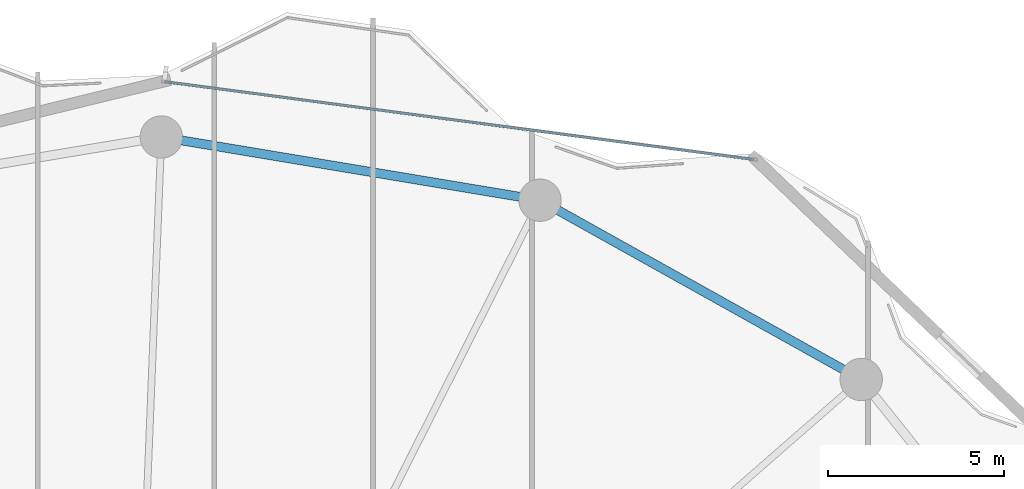
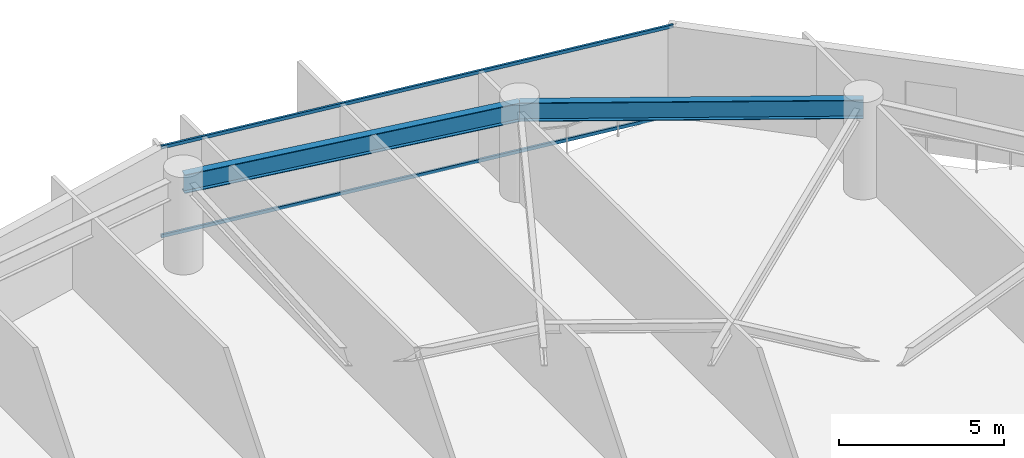
# One storey, part 21 of 30: 2 beams, 2 members, 1 element without a shape of its own.
"""IFC4 building model written with IfcOpenShell, lengths in metres."""

from ifc_helpers import new_model, si_unit, direction, frame, origin, origin_2d, place, context, subcontext, project, spatial, hollow_rectangle, i_section, extrude, material, layer, layer_set, material_profile, profile_set, type_object, element, aggregate, save


model = new_model("IFC4")

# Units and contexts
model_context = context("Model", 3, precision=1e-05, world=origin(), true_north=direction((0.0, 1.0)))
body_context = subcontext(model_context, "Body", "Model", "MODEL_VIEW")
ifc_project = project(units=[si_unit("LENGTHUNIT", "METRE"), si_unit("AREAUNIT", "SQUARE_METRE"), si_unit("VOLUMEUNIT", "CUBIC_METRE"), si_unit("PLANEANGLEUNIT", "RADIAN"), si_unit("MASSUNIT", "GRAM", prefix="KILO")], contexts=[model_context])

# Site, building, storey
site_placement = place(None, origin())
site = spatial("IfcSite", under=ifc_project, at=site_placement, CompositionType="ELEMENT")
building_placement = place(site_placement, origin())
building = spatial("IfcBuilding", under=site, at=building_placement, Name="Kazevale Care Tower and Concert Hall", CompositionType="ELEMENT")
storey_placement = place(building_placement, frame((0.0, 0.0, 113.39990234375)))
storey = spatial("IfcBuildingStorey", under=building, at=storey_placement, Name="L29", CompositionType="ELEMENT", Elevation=113.39990234375)

# Curtain wall, members
ifc_material_1 = material(Name="Aluminium 6063-T6 and Low-E Glass", Category="aluminium")
ifc_layer = layer(ifc_material_1, 0.179931640625)
ifc_layer_set = layer_set([ifc_layer], Name="Aluminium 6063-T6 and Low-E Glass")
curtain_wall_type = type_object("IfcCurtainWallType", Name="Convex Recessed Sunroom Curtain Wall CW-3", PredefinedType="NOTDEFINED", material=ifc_layer_set)
curtain_wall_placement = place(storey_placement, origin())
curtain_wall = element("IfcCurtainWall", 1, at=curtain_wall_placement, inside=storey, type_object=curtain_wall_type, Name="cw:L29:f16", PredefinedType="NOTDEFINED")
ifc_material_2 = material(Name="Aluminium 6063-T6", Category="aluminium")
ifc_material_profile_1 = material_profile(ifc_material_2, hollow_rectangle(XDim=0.074951171875, YDim=0.1201171875, WallThickness=0.00390625, at=origin_2d()), Name="ALU75x120x4")
ifc_profile_set_1 = profile_set([ifc_material_profile_1], Name="Aluminium 6063-T6")
member_type = type_object("IfcMemberType", Name="CW-3 Transom ALU75x120x4", PredefinedType="USERDEFINED", material=ifc_profile_set_1)
member_1_placement = place(storey_placement, frame((45.121337890625, 63.01220703125, 0.03759765625), z_axis=(0.99140485097, -0.130829742311, 0.0), x_axis=(0.130829742311, 0.99140485097, 0.0)))
member_1 = element("IfcMember", 2, at=member_1_placement, type_object=member_type, Name="CW-3 transom 1.1", ObjectType="TRANSOM", PredefinedType="USERDEFINED", context=body_context, shape_type="SweptSolid", body=[
    extrude(hollow_rectangle(XDim=0.074951171875, YDim=0.1201171875, WallThickness=0.00390625, at=origin_2d()), origin(), (0.0, 0.0, 1.0), 16.796630859375),
])
member_2_placement = place(storey_placement, frame((45.121337890625, 63.01220703125, 3.322509765625), z_axis=(0.99140485097, -0.130829742311, 0.0), x_axis=(0.130829742311, 0.99140485097, 0.0)))
member_2 = element("IfcMember", 3, at=member_2_placement, type_object=member_type, Name="CW-3 transom 1.2", ObjectType="TRANSOM", PredefinedType="USERDEFINED", context=body_context, shape_type="SweptSolid", body=[
    extrude(hollow_rectangle(XDim=0.074951171875, YDim=0.1201171875, WallThickness=0.00390625, at=origin_2d()), origin(), (0.0, 0.0, 1.0), 16.796630859375),
])
aggregate(curtain_wall, [member_1, member_2])

# Beams
ifc_material_3 = material(Name="Steel ASTM A572 Gr 50", Category="steel")
ifc_material_profile_2 = material_profile(ifc_material_3, i_section(OverallWidth=0.256103515625, OverallDepth=0.693115234375, WebThickness=0.014404296875, FlangeThickness=0.023681640625, at=origin_2d()), Name="W690x170")
ifc_profile_set_2 = profile_set([ifc_material_profile_2], Name="Steel ASTM A572 Gr 50")
beam_type = type_object("IfcBeamType", Name="Waist Ring Beam W690x170", PredefinedType="BEAM", material=ifc_profile_set_2)
beam_1_placement = place(storey_placement, frame((64.830078125, 54.580078125, 3.013671875), z_axis=(-0.873168720251, 0.487418081297, 0.0), x_axis=(-0.487418081297, -0.873168720251, 0.0)))
element("IfcBeam", 4, at=beam_1_placement, inside=storey, type_object=beam_type, Name="beam:L29:ring:03", PredefinedType="BEAM", context=body_context, shape_type="SweptSolid", body=[
    extrude(i_section(OverallWidth=0.256103515625, OverallDepth=0.693115234375, WebThickness=0.014404296875, FlangeThickness=0.023681640625, at=origin_2d()), origin(), (0.0, 0.0, 1.0), 10.421875),
])
beam_2_placement = place(storey_placement, frame((55.72998046875, 59.659912109375, 3.013671875), z_axis=(-0.986368436187, 0.164551840139, 0.0), x_axis=(-0.164551840139, -0.986368436187, 0.0)))
element("IfcBeam", 5, at=beam_2_placement, inside=storey, type_object=beam_type, Name="beam:L29:ring:04", PredefinedType="BEAM", context=body_context, shape_type="SweptSolid", body=[
    extrude(i_section(OverallWidth=0.256103515625, OverallDepth=0.693115234375, WebThickness=0.014404296875, FlangeThickness=0.023681640625, at=origin_2d()), origin(), (0.0, 0.0, 1.0), 10.878173828125),
])

save(model, "model.ifc")
